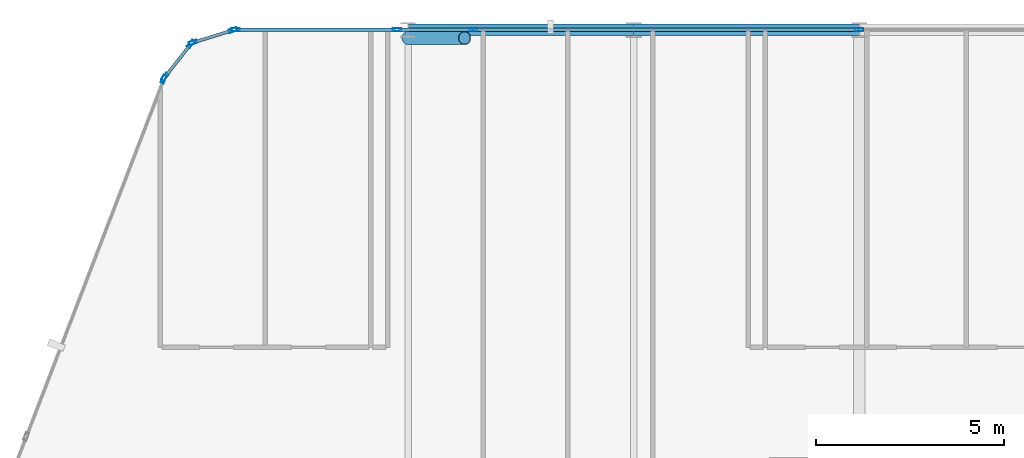
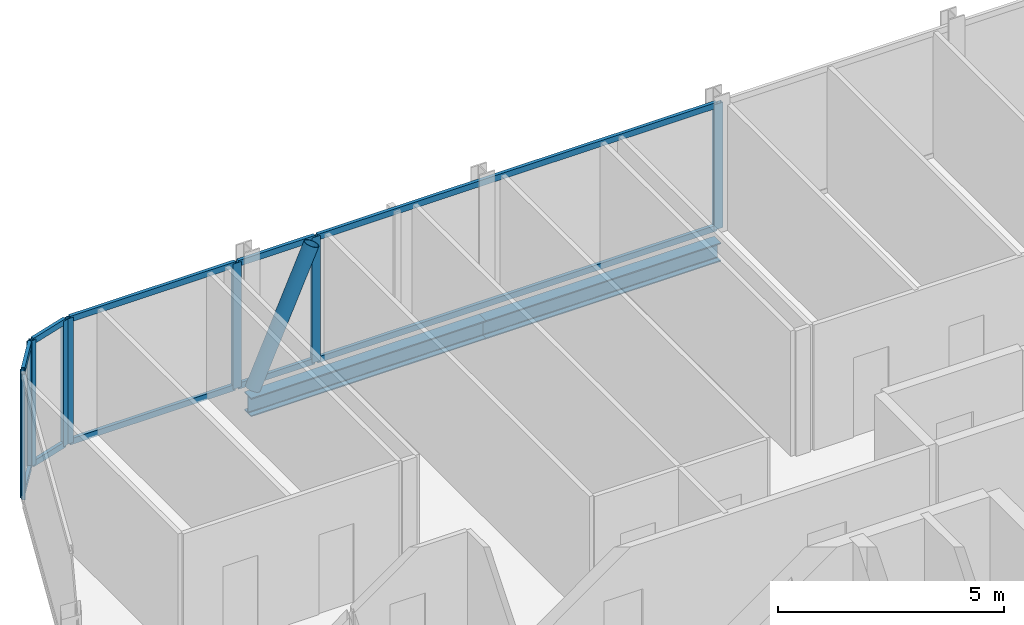
# One storey, part 14 of 34: 20 members, 2 beams, 6 elements without a shape of their own.
"""IFC4 building model written with IfcOpenShell, lengths in metres."""

from ifc_helpers import new_model, si_unit, direction, frame, origin, origin_2d, place, context, subcontext, project, spatial, hollow_rectangle, hollow_circle, i_section, extrude, material, layer, layer_set, material_profile, profile_set, type_object, element, aggregate, save


model = new_model("IFC4")

# Units and contexts
model_context = context("Model", 3, precision=1e-05, world=origin(), true_north=direction((0.0, 1.0)))
body_context = subcontext(model_context, "Body", "Model", "MODEL_VIEW")
ifc_project = project(units=[si_unit("LENGTHUNIT", "METRE"), si_unit("AREAUNIT", "SQUARE_METRE"), si_unit("VOLUMEUNIT", "CUBIC_METRE"), si_unit("PLANEANGLEUNIT", "RADIAN"), si_unit("MASSUNIT", "GRAM", prefix="KILO")], contexts=[model_context])

# Site, building, storey
site_placement = place(None, origin())
site = spatial("IfcSite", under=ifc_project, at=site_placement, CompositionType="ELEMENT")
building_placement = place(site_placement, origin())
building = spatial("IfcBuilding", under=site, at=building_placement, Name="Keshet Zoharim Tower", CompositionType="ELEMENT")
storey_placement = place(building_placement, frame((0.0, 0.0, 70.10009765625)))
storey = spatial("IfcBuildingStorey", under=building, at=storey_placement, Name="L16", CompositionType="ELEMENT", Elevation=70.10009765625)

# Beams
ifc_material_1 = material(Name="Steel S355", Category="steel")
ifc_material_profile_1 = material_profile(ifc_material_1, i_section(OverallWidth=0.300048828125, OverallDepth=0.5, WebThickness=0.014404296875, FlangeThickness=0.028076171875, FilletRadius=0.027099609375, at=origin_2d()), Name="HEB500")
ifc_profile_set_1 = profile_set([ifc_material_profile_1], Name="Steel S355")
beam_type = type_object("IfcBeamType", Name="BM-WEB-HB500", PredefinedType="BEAM", material=ifc_profile_set_1)
for number, where, z_axis, x_axis, name in (
    (1, (21.0, 53.89990234375, -0.565185546875), (1.0, 0.0, 0.0), (0.0, 1.0, 0.0), "L16 Primary Girder X-029"),
    (2, (27.0, 53.89990234375, -0.565185546875), (1.0, 0.0, 0.0), (0.0, 1.0, 0.0), "L16 Primary Girder X-030"),
):
    element("IfcBeam", number, at=place(storey_placement, frame(where, z_axis=z_axis, x_axis=x_axis)), inside=storey, type_object=beam_type, Name=name, PredefinedType="BEAM", context=body_context, shape_type="SweptSolid", body=[
        extrude(i_section(OverallWidth=0.300048828125, OverallDepth=0.5, WebThickness=0.014404296875, FlangeThickness=0.028076171875, FilletRadius=0.027099609375, at=origin_2d()), origin(), (0.0, 0.0, 1.0), 6.0),
    ])

# Curtain wall, member
ifc_material_2 = material(Name="Aluminium 6063-T6", Category="aluminium")
ifc_layer_1 = layer(ifc_material_2, 0.179931640625)
ifc_layer_set_1 = layer_set([ifc_layer_1], Name="Aluminium 6063-T6")
curtain_wall_type_1 = type_object("IfcCurtainWallType", Name="CW-SYS-01", PredefinedType="NOTDEFINED", material=ifc_layer_set_1)
curtain_wall_1_placement = place(storey_placement, origin())
curtain_wall_1 = element("IfcCurtainWall", 3, at=curtain_wall_1_placement, inside=storey, type_object=curtain_wall_type_1, Name="L16 Unitised Curtain Wall 04", PredefinedType="NOTDEFINED")
ifc_material_profile_2 = material_profile(ifc_material_2, hollow_rectangle(XDim=0.090087890625, YDim=0.219970703125, WallThickness=0.0048828125, at=origin_2d()), Name="MUL-90x220")
ifc_profile_set_2 = profile_set([ifc_material_profile_2], Name="Aluminium 6063-T6")
member_type_1 = type_object("IfcMemberType", Name="CWM-M22", PredefinedType="MULLION", material=ifc_profile_set_2)
member_1_placement = place(storey_placement, frame((14.494384765625, 52.58544921875, 0.0), z_axis=(0.0, 0.0, 1.0), x_axis=(-0.933341404361, 0.358990003907, 0.0)))
member_1 = element("IfcMember", 4, at=member_1_placement, type_object=member_type_1, Name="CW-01 mullion 4", PredefinedType="MULLION", context=body_context, shape_type="SweptSolid", body=[
    extrude(hollow_rectangle(XDim=0.090087890625, YDim=0.219970703125, WallThickness=0.0048828125, at=origin_2d()), origin(), (0.0, 0.0, 1.0), 3.385009765625),
])
aggregate(curtain_wall_1, [member_1])

# Curtain wall, members
curtain_wall_2_placement = place(storey_placement, origin())
curtain_wall_2 = element("IfcCurtainWall", 5, at=curtain_wall_2_placement, inside=storey, type_object=curtain_wall_type_1, Name="L16 Unitised Curtain Wall 05", PredefinedType="NOTDEFINED")
member_2_placement = place(storey_placement, frame((14.528564453125, 52.6455078125, 0.0), z_axis=(0.0, 0.0, 1.0), x_axis=(-0.785292825205, 0.619124525989, 0.0)))
member_2 = element("IfcMember", 6, at=member_2_placement, type_object=member_type_1, Name="CW-01 mullion 1", PredefinedType="MULLION", context=body_context, shape_type="SweptSolid", body=[
    extrude(hollow_rectangle(XDim=0.090087890625, YDim=0.219970703125, WallThickness=0.0048828125, at=origin_2d()), origin(), (0.0, 0.0, 1.0), 3.385009765625),
])
member_3_placement = place(storey_placement, frame((15.21923828125, 53.521484375, 0.0), z_axis=(0.0, 0.0, 1.0), x_axis=(-0.785292825205, 0.619124525989, 0.0)))
member_3 = element("IfcMember", 7, at=member_3_placement, type_object=member_type_1, Name="CW-01 mullion 2", PredefinedType="MULLION", context=body_context, shape_type="SweptSolid", body=[
    extrude(hollow_rectangle(XDim=0.090087890625, YDim=0.219970703125, WallThickness=0.0048828125, at=origin_2d()), origin(), (0.0, 0.0, 1.0), 3.385009765625),
])

curtain_wall_3_placement = place(storey_placement, origin())
curtain_wall_3 = element("IfcCurtainWall", 8, at=curtain_wall_3_placement, inside=storey, type_object=curtain_wall_type_1, Name="L16 Unitised Curtain Wall 06", PredefinedType="NOTDEFINED")
member_4_placement = place(storey_placement, frame((15.2744140625, 53.559326171875, 0.0), z_axis=(0.0, 0.0, 1.0), x_axis=(-0.295921857984, 0.955212151288, 0.0)))
member_4 = element("IfcMember", 9, at=member_4_placement, type_object=member_type_1, Name="CW-01 mullion 1", PredefinedType="MULLION", context=body_context, shape_type="SweptSolid", body=[
    extrude(hollow_rectangle(XDim=0.090087890625, YDim=0.219970703125, WallThickness=0.0048828125, at=origin_2d()), origin(), (0.0, 0.0, 1.0), 3.385009765625),
])
member_5_placement = place(storey_placement, frame((16.340576171875, 53.8896484375, 0.0), z_axis=(0.0, 0.0, 1.0), x_axis=(-0.295921857984, 0.955212151288, 0.0)))
member_5 = element("IfcMember", 10, at=member_5_placement, type_object=member_type_1, Name="CW-01 mullion 2", PredefinedType="MULLION", context=body_context, shape_type="SweptSolid", body=[
    extrude(hollow_rectangle(XDim=0.090087890625, YDim=0.219970703125, WallThickness=0.0048828125, at=origin_2d()), origin(), (0.0, 0.0, 1.0), 3.385009765625),
])

ifc_layer_2 = layer(ifc_material_2, 0.169921875)
ifc_layer_set_2 = layer_set([ifc_layer_2], Name="Aluminium 6063-T6")
curtain_wall_type_2 = type_object("IfcCurtainWallType", Name="CW-SYS-02", PredefinedType="NOTDEFINED", material=ifc_layer_set_2)
curtain_wall_4_placement = place(storey_placement, origin())
curtain_wall_4 = element("IfcCurtainWall", 11, at=curtain_wall_4_placement, inside=storey, type_object=curtain_wall_type_2, Name="L16 Unitised Curtain Wall 07", PredefinedType="NOTDEFINED")
member_6_placement = place(storey_placement, frame((16.408935546875, 53.89990234375, 0.0), z_axis=(0.0, 0.0, 1.0), x_axis=(0.0, 1.0, 0.0)))
member_6 = element("IfcMember", 12, at=member_6_placement, type_object=member_type_1, Name="CW-02 mullion 1", PredefinedType="MULLION", context=body_context, shape_type="SweptSolid", body=[
    extrude(hollow_rectangle(XDim=0.090087890625, YDim=0.219970703125, WallThickness=0.0048828125, at=origin_2d()), origin(), (0.0, 0.0, 1.0), 3.385009765625),
])
member_7_placement = place(storey_placement, frame((20.702392578125, 53.89990234375, 0.0), z_axis=(0.0, 0.0, 1.0), x_axis=(0.0, 1.0, 0.0)))
member_7 = element("IfcMember", 13, at=member_7_placement, type_object=member_type_1, Name="CW-02 mullion 2", PredefinedType="MULLION", context=body_context, shape_type="SweptSolid", body=[
    extrude(hollow_rectangle(XDim=0.090087890625, YDim=0.219970703125, WallThickness=0.0048828125, at=origin_2d()), origin(), (0.0, 0.0, 1.0), 3.385009765625),
])

# Curtain wall, member
curtain_wall_5_placement = place(storey_placement, origin())
curtain_wall_5 = element("IfcCurtainWall", 14, at=curtain_wall_5_placement, inside=storey, type_object=curtain_wall_type_2, Name="L16 Unitised Curtain Wall 07 Part 2", PredefinedType="NOTDEFINED")
member_8_placement = place(storey_placement, frame((22.7275390625, 53.89990234375, 0.0), z_axis=(0.0, 0.0, 1.0), x_axis=(0.0, 1.0, 0.0)))
member_8 = element("IfcMember", 15, at=member_8_placement, type_object=member_type_1, Name="CW-02 mullion 2", PredefinedType="MULLION", context=body_context, shape_type="SweptSolid", body=[
    extrude(hollow_rectangle(XDim=0.090087890625, YDim=0.219970703125, WallThickness=0.0048828125, at=origin_2d()), origin(), (0.0, 0.0, 1.0), 3.385009765625),
])

curtain_wall_6_placement = place(storey_placement, origin())
curtain_wall_6 = element("IfcCurtainWall", 16, at=curtain_wall_6_placement, inside=storey, type_object=curtain_wall_type_2, Name="L16 Unitised Curtain Wall 07 Part 3", PredefinedType="NOTDEFINED")
member_9_placement = place(storey_placement, frame((33.0, 53.89990234375, 0.0), z_axis=(0.0, 0.0, 1.0), x_axis=(0.0, 1.0, 0.0)))
member_9 = element("IfcMember", 17, at=member_9_placement, type_object=member_type_1, Name="CW-02 mullion 2", PredefinedType="MULLION", context=body_context, shape_type="SweptSolid", body=[
    extrude(hollow_rectangle(XDim=0.090087890625, YDim=0.219970703125, WallThickness=0.0048828125, at=origin_2d()), origin(), (0.0, 0.0, 1.0), 3.385009765625),
])

# Member
ifc_material_profile_3 = material_profile(ifc_material_2, hollow_rectangle(XDim=0.0849609375, YDim=0.159912109375, WallThickness=0.00439453125, at=origin_2d()), Name="TRN-85x160")
ifc_profile_set_3 = profile_set([ifc_material_profile_3], Name="Aluminium 6063-T6")
member_type_2 = type_object("IfcMemberType", Name="CWT-T16", PredefinedType="USERDEFINED", material=ifc_profile_set_3)
member_10_placement = place(storey_placement, frame((14.55029296875, 52.6728515625, 0.034912109375), z_axis=(0.619099165969, 0.78531281837, 0.0), x_axis=(-0.78531281837, 0.619099165969, 0.0)))
member_10 = element("IfcMember", 18, at=member_10_placement, type_object=member_type_2, Name="CW-01 transom 1.1", ObjectType="TRANSOM", PredefinedType="USERDEFINED", context=body_context, shape_type="SweptSolid", body=[
    extrude(hollow_rectangle(XDim=0.0849609375, YDim=0.159912109375, WallThickness=0.00439453125, at=origin_2d()), origin(), (0.0, 0.0, 1.0), 1.0458984375),
])

member_11_placement = place(storey_placement, frame((14.55029296875, 52.6728515625, 3.349853515625), z_axis=(0.619099165969, 0.78531281837, 0.0), x_axis=(-0.78531281837, 0.619099165969, 0.0)))
member_11 = element("IfcMember", 19, at=member_11_placement, type_object=member_type_2, Name="CW-01 transom 1.2", ObjectType="TRANSOM", PredefinedType="USERDEFINED", context=body_context, shape_type="SweptSolid", body=[
    extrude(hollow_rectangle(XDim=0.0849609375, YDim=0.159912109375, WallThickness=0.00439453125, at=origin_2d()), origin(), (0.0, 0.0, 1.0), 1.0458984375),
])

aggregate(curtain_wall_2, [member_2, member_3, member_10, member_11])

member_12_placement = place(storey_placement, frame((15.307861328125, 53.56982421875, 0.034912109375), z_axis=(0.955212093062, 0.295922045933, 0.0), x_axis=(-0.295922045933, 0.955212093062, 0.0)))
member_12 = element("IfcMember", 20, at=member_12_placement, type_object=member_type_2, Name="CW-01 transom 1.1", ObjectType="TRANSOM", PredefinedType="USERDEFINED", context=body_context, shape_type="SweptSolid", body=[
    extrude(hollow_rectangle(XDim=0.0849609375, YDim=0.159912109375, WallThickness=0.00439453125, at=origin_2d()), origin(), (0.0, 0.0, 1.0), 1.046142578125),
])

member_13_placement = place(storey_placement, frame((15.307861328125, 53.56982421875, 3.349853515625), z_axis=(0.955212093062, 0.295922045933, 0.0), x_axis=(-0.295922045933, 0.955212093062, 0.0)))
member_13 = element("IfcMember", 21, at=member_13_placement, type_object=member_type_2, Name="CW-01 transom 1.2", ObjectType="TRANSOM", PredefinedType="USERDEFINED", context=body_context, shape_type="SweptSolid", body=[
    extrude(hollow_rectangle(XDim=0.0849609375, YDim=0.159912109375, WallThickness=0.00439453125, at=origin_2d()), origin(), (0.0, 0.0, 1.0), 1.046142578125),
])

aggregate(curtain_wall_3, [member_4, member_5, member_12, member_13])

member_14_placement = place(storey_placement, frame((16.444091796875, 53.89990234375, 0.034912109375), z_axis=(1.0, 0.0, 0.0), x_axis=(0.0, 1.0, 0.0)))
member_14 = element("IfcMember", 22, at=member_14_placement, type_object=member_type_2, Name="CW-02 transom 1.1", ObjectType="TRANSOM", PredefinedType="USERDEFINED", context=body_context, shape_type="SweptSolid", body=[
    extrude(hollow_rectangle(XDim=0.0849609375, YDim=0.159912109375, WallThickness=0.00439453125, at=origin_2d()), origin(), (0.0, 0.0, 1.0), 4.223388671875),
])

member_15_placement = place(storey_placement, frame((16.444091796875, 53.89990234375, 3.349853515625), z_axis=(1.0, 0.0, 0.0), x_axis=(0.0, 1.0, 0.0)))
member_15 = element("IfcMember", 23, at=member_15_placement, type_object=member_type_2, Name="CW-02 transom 1.2", ObjectType="TRANSOM", PredefinedType="USERDEFINED", context=body_context, shape_type="SweptSolid", body=[
    extrude(hollow_rectangle(XDim=0.0849609375, YDim=0.159912109375, WallThickness=0.00439453125, at=origin_2d()), origin(), (0.0, 0.0, 1.0), 4.223388671875),
])

aggregate(curtain_wall_4, [member_6, member_7, member_14, member_15])

member_16_placement = place(storey_placement, frame((20.7373046875, 53.89990234375, 0.034912109375), z_axis=(1.0, 0.0, 0.0), x_axis=(0.0, 1.0, 0.0)))
member_16 = element("IfcMember", 24, at=member_16_placement, type_object=member_type_2, Name="CW-02 transom 1.1", ObjectType="TRANSOM", PredefinedType="USERDEFINED", context=body_context, shape_type="SweptSolid", body=[
    extrude(hollow_rectangle(XDim=0.0849609375, YDim=0.159912109375, WallThickness=0.00439453125, at=origin_2d()), origin(), (0.0, 0.0, 1.0), 1.955322265625),
])

member_17_placement = place(storey_placement, frame((20.7373046875, 53.89990234375, 3.349853515625), z_axis=(1.0, 0.0, 0.0), x_axis=(0.0, 1.0, 0.0)))
member_17 = element("IfcMember", 25, at=member_17_placement, type_object=member_type_2, Name="CW-02 transom 1.2", ObjectType="TRANSOM", PredefinedType="USERDEFINED", context=body_context, shape_type="SweptSolid", body=[
    extrude(hollow_rectangle(XDim=0.0849609375, YDim=0.159912109375, WallThickness=0.00439453125, at=origin_2d()), origin(), (0.0, 0.0, 1.0), 1.955322265625),
])

aggregate(curtain_wall_5, [member_8, member_16, member_17])

member_18_placement = place(storey_placement, frame((22.7626953125, 53.89990234375, 0.034912109375), z_axis=(1.0, 0.0, 0.0), x_axis=(0.0, 1.0, 0.0)))
member_18 = element("IfcMember", 26, at=member_18_placement, type_object=member_type_2, Name="CW-02 transom 1.1", ObjectType="TRANSOM", PredefinedType="USERDEFINED", context=body_context, shape_type="SweptSolid", body=[
    extrude(hollow_rectangle(XDim=0.0849609375, YDim=0.159912109375, WallThickness=0.00439453125, at=origin_2d()), origin(), (0.0, 0.0, 1.0), 10.202392578125),
])

member_19_placement = place(storey_placement, frame((22.7626953125, 53.89990234375, 3.349853515625), z_axis=(1.0, 0.0, 0.0), x_axis=(0.0, 1.0, 0.0)))
member_19 = element("IfcMember", 27, at=member_19_placement, type_object=member_type_2, Name="CW-02 transom 1.2", ObjectType="TRANSOM", PredefinedType="USERDEFINED", context=body_context, shape_type="SweptSolid", body=[
    extrude(hollow_rectangle(XDim=0.0849609375, YDim=0.159912109375, WallThickness=0.00439453125, at=origin_2d()), origin(), (0.0, 0.0, 1.0), 10.202392578125),
])

aggregate(curtain_wall_6, [member_9, member_18, member_19])

ifc_material_profile_4 = material_profile(ifc_material_1, hollow_circle(Radius=0.177734375, WallThickness=0.012451171875, at=origin_2d()), Name="CHS355x12.5")
ifc_profile_set_4 = profile_set([ifc_material_profile_4], Name="Steel S355")
member_type_3 = type_object("IfcMemberType", Name="MB-BR-C355", PredefinedType="BRACE", material=ifc_profile_set_4)
member_20_placement = place(storey_placement, frame((21.0, 53.679931640625, 0.0), z_axis=(0.405134846829, 0.0, 0.91425694194), x_axis=(0.0, 1.0, 0.0)))
element("IfcMember", 28, at=member_20_placement, inside=storey, type_object=member_type_3, Name="L16 Perimeter Tube Brace 01", PredefinedType="BRACE", context=body_context, shape_type="SweptSolid", body=[
    extrude(hollow_circle(Radius=0.177734375, WallThickness=0.012451171875, at=origin_2d()), origin(), (0.0, 0.0, 1.0), 3.702392578125),
])

save(model, "model.ifc")
